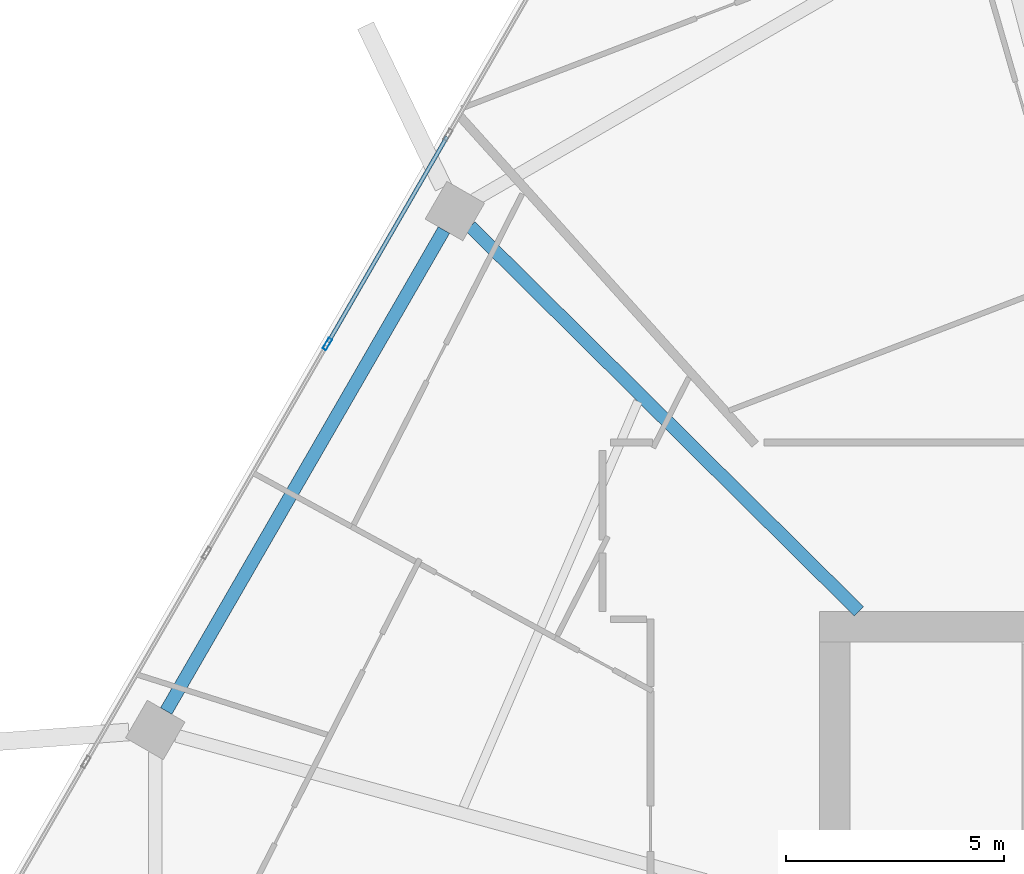
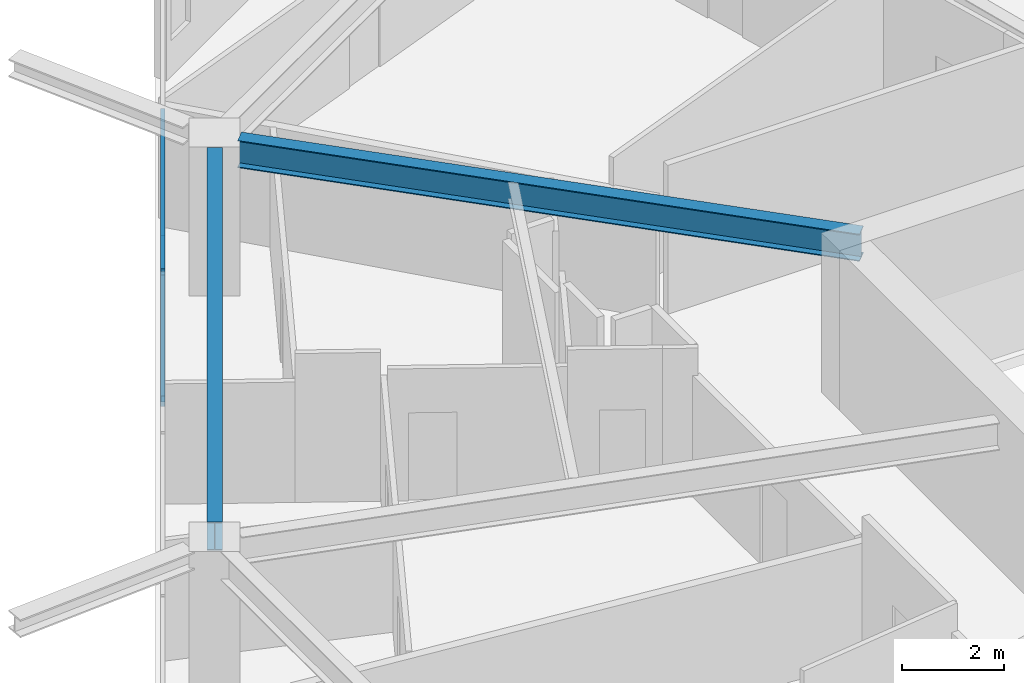
# One storey, part 11 of 26: 3 members, 2 beams, 1 element without a shape of its own.
"""IFC4 building model written with IfcOpenShell, lengths in metres."""

from ifc_helpers import new_model, si_unit, direction, frame, origin, origin_2d, place, context, subcontext, project, spatial, hollow_rectangle, i_section, extrude, material, material_profile, profile_set, type_object, element, aggregate, save


model = new_model("IFC4")

# Units and contexts
model_context = context("Model", 3, precision=1e-05, world=origin(), true_north=direction((0.0, 1.0)))
body_context = subcontext(model_context, "Body", "Model", "MODEL_VIEW")
ifc_project = project(units=[si_unit("LENGTHUNIT", "METRE"), si_unit("AREAUNIT", "SQUARE_METRE"), si_unit("VOLUMEUNIT", "CUBIC_METRE"), si_unit("PLANEANGLEUNIT", "RADIAN"), si_unit("MASSUNIT", "GRAM", prefix="KILO")], contexts=[model_context])

# Site, building, storey
site_placement = place(None, origin())
site = spatial("IfcSite", under=ifc_project, at=site_placement, CompositionType="ELEMENT")
building_placement = place(site_placement, origin())
building = spatial("IfcBuilding", under=site, at=building_placement, Name="Zuhravey Tower", CompositionType="ELEMENT")
storey_placement = place(building_placement, frame((0.0, 0.0, 158.0)))
storey = spatial("IfcBuildingStorey", under=building, at=storey_placement, Name="L39", CompositionType="ELEMENT", Elevation=158.0)

# Curtain wall, members
ifc_material_1 = material(Name="Thermally broken anodised aluminium", Category="aluminium")
curtain_wall_type = type_object("IfcCurtainWallType", Name="Zone 1-2 Residential Curtain Wall CW3", PredefinedType="NOTDEFINED", material=ifc_material_1)
curtain_wall_placement = place(storey_placement, origin())
curtain_wall = element("IfcCurtainWall", 1, at=curtain_wall_placement, inside=storey, type_object=curtain_wall_type, Name="L39 CW3 CW-L39-F3-1", PredefinedType="NOTDEFINED")
ifc_material_2 = material(Name="Anodised aluminium", Category="aluminium")
ifc_material_profile_1 = material_profile(ifc_material_2, hollow_rectangle(XDim=0.090087890625, YDim=0.284912109375, WallThickness=0.0048828125, at=origin_2d()), Name="ALU-RHS-90x285x5")
ifc_profile_set_1 = profile_set([ifc_material_profile_1], Name="Anodised aluminium")
member_type_1 = type_object("IfcMemberType", Name="Curtain-Wall Mullion 90x180", PredefinedType="MULLION", material=ifc_profile_set_1)
member_1_placement = place(storey_placement, frame((13.844970703125, 47.992431640625, 0.0), z_axis=(0.0, 0.0, 1.0), x_axis=(-0.866025138215, 0.500000459979, 0.0)))
member_1 = element("IfcMember", 2, at=member_1_placement, type_object=member_type_1, Name="CW3 mullion 4", PredefinedType="MULLION", context=body_context, shape_type="SweptSolid", body=[
    extrude(hollow_rectangle(XDim=0.090087890625, YDim=0.284912109375, WallThickness=0.0048828125, at=origin_2d()), origin(), (0.0, 0.0, 1.0), 3.1220703125),
])
ifc_material_profile_2 = material_profile(ifc_material_2, hollow_rectangle(XDim=0.090087890625, YDim=0.14990234375, WallThickness=0.0048828125, at=origin_2d()), Name="ALU-RHS-90x150x5")
ifc_profile_set_2 = profile_set([ifc_material_profile_2], Name="Anodised aluminium")
member_type_2 = type_object("IfcMemberType", Name="Curtain-Wall Transom 90x150", PredefinedType="USERDEFINED", material=ifc_profile_set_2)
member_2_placement = place(storey_placement, frame((13.867431640625, 48.03125, 0.044921875), z_axis=(0.49996138257, 0.86604769842, 0.0), x_axis=(-0.86604769842, 0.49996138257, 0.0)))
member_2 = element("IfcMember", 3, at=member_2_placement, type_object=member_type_2, Name="CW3 transom 4.1", ObjectType="TRANSOM", PredefinedType="USERDEFINED", context=body_context, shape_type="SweptSolid", body=[
    extrude(hollow_rectangle(XDim=0.090087890625, YDim=0.14990234375, WallThickness=0.0048828125, at=origin_2d()), origin(), (0.0, 0.0, 1.0), 5.45458984375),
])
member_3_placement = place(storey_placement, frame((13.867431640625, 48.03125, 3.076904296875), z_axis=(0.49996138257, 0.86604769842, 0.0), x_axis=(-0.86604769842, 0.49996138257, 0.0)))
member_3 = element("IfcMember", 4, at=member_3_placement, type_object=member_type_2, Name="CW3 transom 4.2", ObjectType="TRANSOM", PredefinedType="USERDEFINED", context=body_context, shape_type="SweptSolid", body=[
    extrude(hollow_rectangle(XDim=0.090087890625, YDim=0.14990234375, WallThickness=0.0048828125, at=origin_2d()), origin(), (0.0, 0.0, 1.0), 5.45458984375),
])
aggregate(curtain_wall, [member_1, member_2, member_3])

# Beams
ifc_material_3 = material(Name="Steel SM355", Category="steel")
ifc_material_profile_3 = material_profile(ifc_material_3, i_section(OverallWidth=0.300048828125, OverallDepth=0.679931640625, WebThickness=0.012939453125, FlangeThickness=0.02197265625, at=origin_2d()), Name="H-680x300x13x22")
ifc_profile_set_3 = profile_set([ifc_material_profile_3], Name="Steel SM355")
beam_type_1 = type_object("IfcBeamType", Name="Perimeter Ring Beam H680x300", PredefinedType="BEAM", material=ifc_profile_set_3)
beam_1_placement = place(storey_placement, frame((16.52294921875, 50.611083984375, 3.2099609375), z_axis=(-0.499997974489, -0.866026573211, 0.0), x_axis=(0.866026573211, -0.499997974489, 0.0)))
element("IfcBeam", 5, at=beam_1_placement, inside=storey, type_object=beam_type_1, Name="L39 PB2 BM-L39-PB-05", PredefinedType="BEAM", context=body_context, shape_type="SweptSolid", body=[
    extrude(i_section(OverallWidth=0.300048828125, OverallDepth=0.679931640625, WebThickness=0.012939453125, FlangeThickness=0.02197265625, at=origin_2d()), origin(), (0.0, 0.0, 1.0), 12.75830078125),
])
ifc_material_profile_4 = material_profile(ifc_material_3, i_section(OverallWidth=0.300048828125, OverallDepth=0.64990234375, WebThickness=0.012939453125, FlangeThickness=0.02197265625, at=origin_2d()), Name="H-650x300x13x22")
ifc_profile_set_4 = profile_set([ifc_material_profile_4], Name="Steel SM355")
beam_type_2 = type_object("IfcBeamType", Name="Radial Primary Girder H650x300", PredefinedType="BEAM", material=ifc_profile_set_4)
beam_2_placement = place(storey_placement, frame((26.054443359375, 41.85302734375, 3.22509765625), z_axis=(-0.71040353357, 0.703794586148, 0.0), x_axis=(-0.703794586148, -0.71040353357, 0.0)))
element("IfcBeam", 6, at=beam_2_placement, inside=storey, type_object=beam_type_2, Name="L39 RG2 BM-L39-RAD-05", PredefinedType="BEAM", context=body_context, shape_type="SweptSolid", body=[
    extrude(i_section(OverallWidth=0.300048828125, OverallDepth=0.64990234375, WebThickness=0.012939453125, FlangeThickness=0.02197265625, at=origin_2d()), origin(), (0.0, 0.0, 1.0), 12.559814453125),
])

save(model, "model.ifc")
